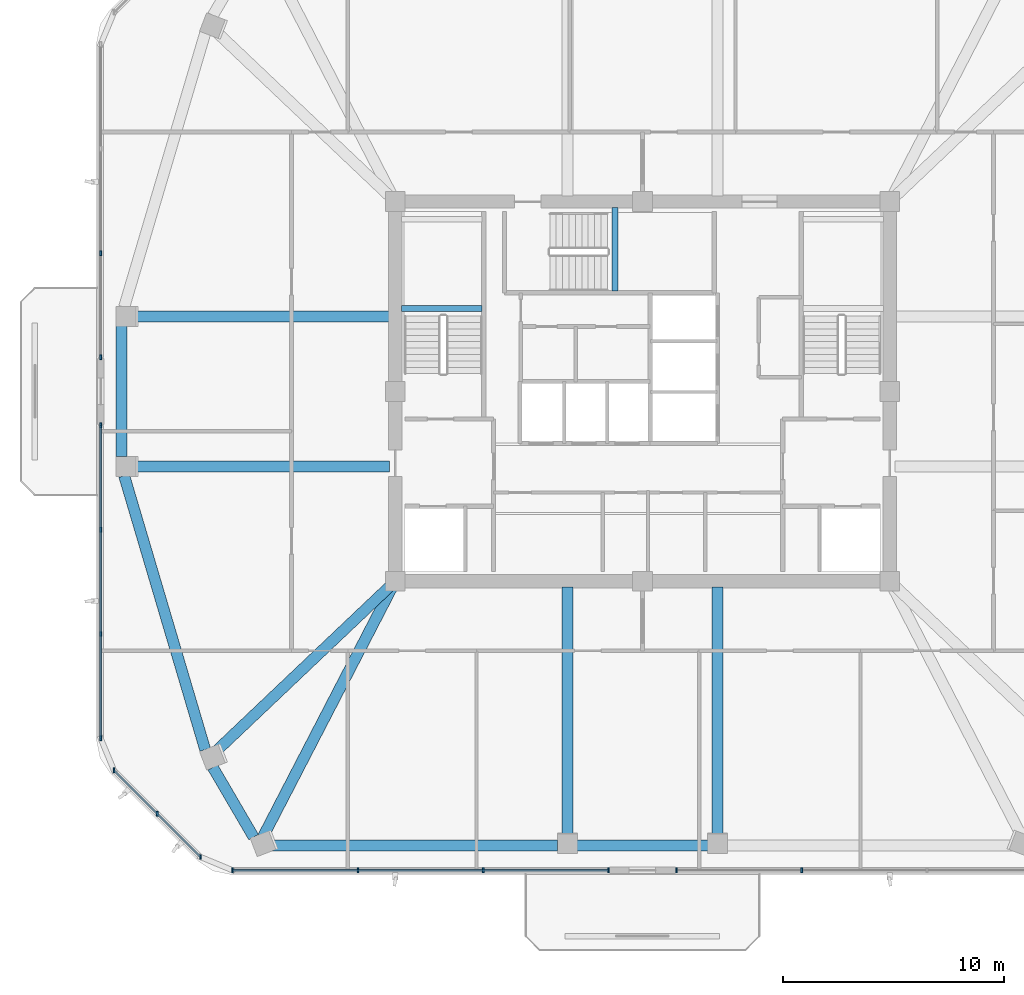
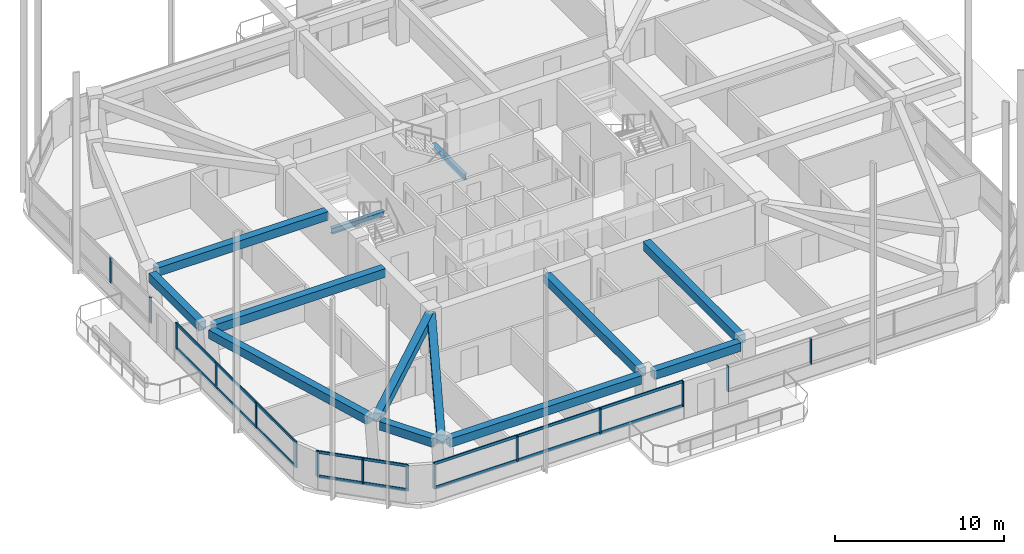
# One storey, part 2 of 14: 21 members, 13 beams, 5 elements without a shape of their own.
"""IFC4 building model written with IfcOpenShell, lengths in metres."""

from ifc_helpers import new_model, si_unit, derived_unit, direction, frame, origin, origin_2d, place, context, subcontext, project, spatial, rectangle, i_section, extrude, material, material_profile, profile_set, type_object, element, aggregate, save


model = new_model("IFC4")

# Units and contexts
model_context = context("Model", 3, precision=1e-05, world=origin(), true_north=direction((0.0, 1.0)))
body_context = subcontext(model_context, "Body", "Model", "MODEL_VIEW")
ifc_project = project(units=[si_unit("LENGTHUNIT", "METRE"), si_unit("AREAUNIT", "SQUARE_METRE"), si_unit("VOLUMEUNIT", "CUBIC_METRE"), si_unit("PLANEANGLEUNIT", "RADIAN"), si_unit("MASSUNIT", "GRAM", prefix="KILO"), derived_unit("THERMALTRANSMITTANCEUNIT", [(si_unit("POWERUNIT", "WATT"), 1), (si_unit("LENGTHUNIT", "METRE"), -2), (si_unit("THERMODYNAMICTEMPERATUREUNIT", "KELVIN"), -1)])], contexts=[model_context])

# Site, building, storey
site_placement = place(None, origin())
site = spatial("IfcSite", under=ifc_project, at=site_placement, CompositionType="ELEMENT")
building_placement = place(site_placement, origin())
building = spatial("IfcBuilding", under=site, at=building_placement, Name="Koralith Skygarden Medical Center", CompositionType="ELEMENT")
storey_placement = place(building_placement, frame((0.0, 0.0, 192.780029296875)))
storey = spatial("IfcBuildingStorey", under=building, at=storey_placement, Name="L49", CompositionType="ELEMENT", Elevation=192.780029296875)

# Curtain wall, members
ifc_material_1 = material(Name="Clear Laminated Glass", Category="glass")
curtain_wall_type = type_object("IfcCurtainWallType", Name="CW-5 Zone 4 Flare Biophilic Curtain Wall", PredefinedType="NOTDEFINED", material=ifc_material_1)
curtain_wall_1_placement = place(storey_placement, origin())
curtain_wall_1 = element("IfcCurtainWall", 1, at=curtain_wall_1_placement, inside=storey, type_object=curtain_wall_type, Name="Curtain Wall CW-L49-S-L", PredefinedType="NOTDEFINED")
ifc_material_2 = material(Name="Aluminium 6063-T6", Category="aluminium")
ifc_material_profile_1 = material_profile(ifc_material_2, rectangle(XDim=0.080078125, YDim=0.219970703125, at=origin_2d()), Name="MUL80X220")
ifc_profile_set_1 = profile_set([ifc_material_profile_1], Name="Aluminium 6063-T6")
member_type_1 = type_object("IfcMemberType", Name="CW-5 Extruded Mullion 80x220", PredefinedType="MULLION", material=ifc_profile_set_1)
member_1_placement = place(storey_placement, frame((18.431884765625, 4.205078125, 0.849853515625), z_axis=(0.0, 0.0, 1.0), x_axis=(1.0, 0.0, 0.0)))
member_1 = element("IfcMember", 2, at=member_1_placement, type_object=member_type_1, Name="CW-L49-S-L Mullion 1", PredefinedType="MULLION", context=body_context, shape_type="SweptSolid", body=[
    extrude(rectangle(XDim=0.080078125, YDim=0.219970703125, at=origin_2d()), origin(), (0.0, 0.0, 1.0), 1.840087890625),
])
member_2_placement = place(storey_placement, frame((24.10791015625, 4.205078125, 0.849853515625), z_axis=(0.0, 0.0, 1.0), x_axis=(1.0, 0.0, 0.0)))
member_2 = element("IfcMember", 3, at=member_2_placement, type_object=member_type_1, Name="CW-L49-S-L Mullion 2", PredefinedType="MULLION", context=body_context, shape_type="SweptSolid", body=[
    extrude(rectangle(XDim=0.080078125, YDim=0.219970703125, at=origin_2d()), origin(), (0.0, 0.0, 1.0), 1.840087890625),
])
member_3_placement = place(storey_placement, frame((29.783935546875, 4.205078125, 0.849853515625), z_axis=(0.0, 0.0, 1.0), x_axis=(1.0, 0.0, 0.0)))
member_3 = element("IfcMember", 4, at=member_3_placement, type_object=member_type_1, Name="CW-L49-S-L Mullion 3", PredefinedType="MULLION", context=body_context, shape_type="SweptSolid", body=[
    extrude(rectangle(XDim=0.080078125, YDim=0.219970703125, at=origin_2d()), origin(), (0.0, 0.0, 1.0), 1.840087890625),
])
member_4_placement = place(storey_placement, frame((35.4599609375, 4.205078125, 0.849853515625), z_axis=(0.0, 0.0, 1.0), x_axis=(1.0, 0.0, 0.0)))
member_4 = element("IfcMember", 5, at=member_4_placement, type_object=member_type_1, Name="CW-L49-S-L Mullion 4", PredefinedType="MULLION", context=body_context, shape_type="SweptSolid", body=[
    extrude(rectangle(XDim=0.080078125, YDim=0.219970703125, at=origin_2d()), origin(), (0.0, 0.0, 1.0), 1.840087890625),
])

curtain_wall_2_placement = place(storey_placement, origin())
curtain_wall_2 = element("IfcCurtainWall", 6, at=curtain_wall_2_placement, inside=storey, type_object=curtain_wall_type, Name="Curtain Wall CW-L49-S-R", PredefinedType="NOTDEFINED")
member_5_placement = place(storey_placement, frame((38.5400390625, 4.205078125, 0.849853515625), z_axis=(0.0, 0.0, 1.0), x_axis=(1.0, 0.0, 0.0)))
member_5 = element("IfcMember", 7, at=member_5_placement, type_object=member_type_1, Name="CW-L49-S-R Mullion 1", PredefinedType="MULLION", context=body_context, shape_type="SweptSolid", body=[
    extrude(rectangle(XDim=0.080078125, YDim=0.219970703125, at=origin_2d()), origin(), (0.0, 0.0, 1.0), 1.840087890625),
])
member_6_placement = place(storey_placement, frame((44.216064453125, 4.205078125, 0.849853515625), z_axis=(0.0, 0.0, 1.0), x_axis=(1.0, 0.0, 0.0)))
member_6 = element("IfcMember", 8, at=member_6_placement, type_object=member_type_1, Name="CW-L49-S-R Mullion 2", PredefinedType="MULLION", context=body_context, shape_type="SweptSolid", body=[
    extrude(rectangle(XDim=0.080078125, YDim=0.219970703125, at=origin_2d()), origin(), (0.0, 0.0, 1.0), 1.840087890625),
])
aggregate(curtain_wall_2, [member_5, member_6])

curtain_wall_3_placement = place(storey_placement, origin())
curtain_wall_3 = element("IfcCurtainWall", 9, at=curtain_wall_3_placement, inside=storey, type_object=curtain_wall_type, Name="Curtain Wall CW-L49-W-L", PredefinedType="NOTDEFINED")
member_7_placement = place(storey_placement, frame((12.4560546875, 32.166015625, 0.849853515625), z_axis=(0.0, 0.0, 1.0), x_axis=(1.0, 0.0, 0.0)))
member_7 = element("IfcMember", 10, at=member_7_placement, type_object=member_type_1, Name="CW-L49-W-L Mullion 3", PredefinedType="MULLION", context=body_context, shape_type="SweptSolid", body=[
    extrude(rectangle(XDim=0.080078125, YDim=0.219970703125, at=origin_2d()), origin(), (0.0, 0.0, 1.0), 1.840087890625),
])
member_8_placement = place(storey_placement, frame((12.4560546875, 27.43994140625, 0.849853515625), z_axis=(0.0, 0.0, 1.0), x_axis=(1.0, 0.0, 0.0)))
member_8 = element("IfcMember", 11, at=member_8_placement, type_object=member_type_1, Name="CW-L49-W-L Mullion 4", PredefinedType="MULLION", context=body_context, shape_type="SweptSolid", body=[
    extrude(rectangle(XDim=0.080078125, YDim=0.219970703125, at=origin_2d()), origin(), (0.0, 0.0, 1.0), 1.840087890625),
])
aggregate(curtain_wall_3, [member_7, member_8])

curtain_wall_4_placement = place(storey_placement, origin())
curtain_wall_4 = element("IfcCurtainWall", 12, at=curtain_wall_4_placement, inside=storey, type_object=curtain_wall_type, Name="Curtain Wall CW-L49-W-R", PredefinedType="NOTDEFINED")
member_9_placement = place(storey_placement, frame((12.4560546875, 24.360107421875, 0.849853515625), z_axis=(0.0, 0.0, 1.0), x_axis=(1.0, 0.0, 0.0)))
member_9 = element("IfcMember", 13, at=member_9_placement, type_object=member_type_1, Name="CW-L49-W-R Mullion 1", PredefinedType="MULLION", context=body_context, shape_type="SweptSolid", body=[
    extrude(rectangle(XDim=0.080078125, YDim=0.219970703125, at=origin_2d()), origin(), (0.0, 0.0, 1.0), 1.840087890625),
])
member_10_placement = place(storey_placement, frame((12.4560546875, 19.634033203125, 0.849853515625), z_axis=(0.0, 0.0, 1.0), x_axis=(1.0, 0.0, 0.0)))
member_10 = element("IfcMember", 14, at=member_10_placement, type_object=member_type_1, Name="CW-L49-W-R Mullion 2", PredefinedType="MULLION", context=body_context, shape_type="SweptSolid", body=[
    extrude(rectangle(XDim=0.080078125, YDim=0.219970703125, at=origin_2d()), origin(), (0.0, 0.0, 1.0), 1.840087890625),
])
member_11_placement = place(storey_placement, frame((12.4560546875, 14.906982421875, 0.849853515625), z_axis=(0.0, 0.0, 1.0), x_axis=(1.0, 0.0, 0.0)))
member_11 = element("IfcMember", 15, at=member_11_placement, type_object=member_type_1, Name="CW-L49-W-R Mullion 3", PredefinedType="MULLION", context=body_context, shape_type="SweptSolid", body=[
    extrude(rectangle(XDim=0.080078125, YDim=0.219970703125, at=origin_2d()), origin(), (0.0, 0.0, 1.0), 1.840087890625),
])
member_12_placement = place(storey_placement, frame((12.4560546875, 10.180908203125, 0.849853515625), z_axis=(0.0, 0.0, 1.0), x_axis=(1.0, 0.0, 0.0)))
member_12 = element("IfcMember", 16, at=member_12_placement, type_object=member_type_1, Name="CW-L49-W-R Mullion 4", PredefinedType="MULLION", context=body_context, shape_type="SweptSolid", body=[
    extrude(rectangle(XDim=0.080078125, YDim=0.219970703125, at=origin_2d()), origin(), (0.0, 0.0, 1.0), 1.840087890625),
])

curtain_wall_5_placement = place(storey_placement, origin())
curtain_wall_5 = element("IfcCurtainWall", 17, at=curtain_wall_5_placement, inside=storey, type_object=curtain_wall_type, Name="Curtain Wall CW-L49-SW", PredefinedType="NOTDEFINED")
member_13_placement = place(storey_placement, frame((13.05810546875, 8.72998046875, 0.849853515625), z_axis=(0.0, 0.0, 1.0), x_axis=(1.0, 0.0, 0.0)))
member_13 = element("IfcMember", 18, at=member_13_placement, type_object=member_type_1, Name="CW-L49-SW Mullion 1", PredefinedType="MULLION", context=body_context, shape_type="SweptSolid", body=[
    extrude(rectangle(XDim=0.080078125, YDim=0.219970703125, at=origin_2d()), origin(), (0.0, 0.0, 1.0), 1.840087890625),
])
member_14_placement = place(storey_placement, frame((15.02001953125, 6.76904296875, 0.849853515625), z_axis=(0.0, 0.0, 1.0), x_axis=(1.0, 0.0, 0.0)))
member_14 = element("IfcMember", 19, at=member_14_placement, type_object=member_type_1, Name="CW-L49-SW Mullion 2", PredefinedType="MULLION", context=body_context, shape_type="SweptSolid", body=[
    extrude(rectangle(XDim=0.080078125, YDim=0.219970703125, at=origin_2d()), origin(), (0.0, 0.0, 1.0), 1.840087890625),
])
member_15_placement = place(storey_placement, frame((16.98095703125, 4.806884765625, 0.849853515625), z_axis=(0.0, 0.0, 1.0), x_axis=(1.0, 0.0, 0.0)))
member_15 = element("IfcMember", 20, at=member_15_placement, type_object=member_type_1, Name="CW-L49-SW Mullion 3", PredefinedType="MULLION", context=body_context, shape_type="SweptSolid", body=[
    extrude(rectangle(XDim=0.080078125, YDim=0.219970703125, at=origin_2d()), origin(), (0.0, 0.0, 1.0), 1.840087890625),
])

# Member
ifc_material_profile_2 = material_profile(ifc_material_2, rectangle(XDim=0.074951171875, YDim=0.197998046875, at=origin_2d()), Name="TRN75X198")
ifc_profile_set_2 = profile_set([ifc_material_profile_2], Name="Aluminium 6063-T6")
member_type_2 = type_object("IfcMemberType", Name="CW-5 Thermal Transom 75x198", PredefinedType="USERDEFINED", material=ifc_profile_set_2)
member_16_placement = place(storey_placement, frame((18.431884765625, 4.205078125, 0.89990234375), z_axis=(1.0, 0.0, 0.0), x_axis=(0.0, 1.0, 0.0)))
member_16 = element("IfcMember", 21, at=member_16_placement, type_object=member_type_2, Name="CW-L49-S-L Transom 1", ObjectType="TRANSOM", PredefinedType="USERDEFINED", context=body_context, shape_type="SweptSolid", body=[
    extrude(rectangle(XDim=0.074951171875, YDim=0.197998046875, at=origin_2d()), origin(), (0.0, 0.0, 1.0), 17.028076171875),
])

member_17_placement = place(storey_placement, frame((18.431884765625, 4.205078125, 2.639892578125), z_axis=(1.0, 0.0, 0.0), x_axis=(0.0, 1.0, 0.0)))
member_17 = element("IfcMember", 22, at=member_17_placement, type_object=member_type_2, Name="CW-L49-S-L Transom 2", ObjectType="TRANSOM", PredefinedType="USERDEFINED", context=body_context, shape_type="SweptSolid", body=[
    extrude(rectangle(XDim=0.074951171875, YDim=0.197998046875, at=origin_2d()), origin(), (0.0, 0.0, 1.0), 17.028076171875),
])

aggregate(curtain_wall_1, [member_1, member_2, member_3, member_4, member_16, member_17])

member_18_placement = place(storey_placement, frame((12.4560546875, 24.360107421875, 0.89990234375), z_axis=(0.0, -1.0, 0.0), x_axis=(1.0, 0.0, 0.0)))
member_18 = element("IfcMember", 23, at=member_18_placement, type_object=member_type_2, Name="CW-L49-W-R Transom 1", ObjectType="TRANSOM", PredefinedType="USERDEFINED", context=body_context, shape_type="SweptSolid", body=[
    extrude(rectangle(XDim=0.074951171875, YDim=0.197998046875, at=origin_2d()), origin(), (0.0, 0.0, 1.0), 14.17919921875),
])

member_19_placement = place(storey_placement, frame((12.4560546875, 24.360107421875, 2.639892578125), z_axis=(0.0, -1.0, 0.0), x_axis=(1.0, 0.0, 0.0)))
member_19 = element("IfcMember", 24, at=member_19_placement, type_object=member_type_2, Name="CW-L49-W-R Transom 2", ObjectType="TRANSOM", PredefinedType="USERDEFINED", context=body_context, shape_type="SweptSolid", body=[
    extrude(rectangle(XDim=0.074951171875, YDim=0.197998046875, at=origin_2d()), origin(), (0.0, 0.0, 1.0), 14.17919921875),
])

aggregate(curtain_wall_4, [member_9, member_10, member_11, member_12, member_18, member_19])

member_20_placement = place(storey_placement, frame((13.05810546875, 8.72998046875, 0.89990234375), z_axis=(0.707084777957, -0.707128783731, 0.0), x_axis=(0.707128783731, 0.707084777957, 0.0)))
member_20 = element("IfcMember", 25, at=member_20_placement, type_object=member_type_2, Name="CW-L49-SW Transom 1", ObjectType="TRANSOM", PredefinedType="USERDEFINED", context=body_context, shape_type="SweptSolid", body=[
    extrude(rectangle(XDim=0.074951171875, YDim=0.197998046875, at=origin_2d()), origin(), (0.0, 0.0, 1.0), 5.5478515625),
])

member_21_placement = place(storey_placement, frame((13.05810546875, 8.72998046875, 2.639892578125), z_axis=(0.707084777957, -0.707128783731, 0.0), x_axis=(0.707128783731, 0.707084777957, 0.0)))
member_21 = element("IfcMember", 26, at=member_21_placement, type_object=member_type_2, Name="CW-L49-SW Transom 2", ObjectType="TRANSOM", PredefinedType="USERDEFINED", context=body_context, shape_type="SweptSolid", body=[
    extrude(rectangle(XDim=0.074951171875, YDim=0.197998046875, at=origin_2d()), origin(), (0.0, 0.0, 1.0), 5.5478515625),
])

aggregate(curtain_wall_5, [member_13, member_14, member_15, member_20, member_21])

# Beams
ifc_material_3 = material(Name="Steel ASTM A992 Grade 50", Category="steel")
ifc_material_profile_3 = material_profile(ifc_material_3, i_section(OverallWidth=0.260009765625, OverallDepth=0.4150390625, WebThickness=0.010009765625, FlangeThickness=0.016845703125, at=origin_2d()), Name="W16X67")
ifc_profile_set_3 = profile_set([ifc_material_profile_3], Name="Steel ASTM A992 Grade 50")
beam_type_1 = type_object("IfcBeamType", Name="Clinical Floor Joist W16X67", PredefinedType="JOIST", material=ifc_profile_set_3)
beam_1_placement = place(storey_placement, frame((26.080078125, 29.659912109375, 1.39306640625), z_axis=(1.0, 0.0, 0.0), x_axis=(0.0, 1.0, 0.0)))
element("IfcBeam", 27, at=beam_1_placement, inside=storey, type_object=beam_type_1, Name="L49 Stair ST1 Half-Landing Support Beam 1A", PredefinedType="JOIST", context=body_context, shape_type="SweptSolid", body=[
    extrude(i_section(OverallWidth=0.260009765625, OverallDepth=0.4150390625, WebThickness=0.010009765625, FlangeThickness=0.016845703125, at=origin_2d()), origin(), (0.0, 0.0, 1.0), 3.639892578125),
])
beam_2_placement = place(storey_placement, frame((35.760009765625, 30.43994140625, 1.39306640625), z_axis=(0.0, 1.0, 0.0), x_axis=(-1.0, 0.0, 0.0)))
element("IfcBeam", 28, at=beam_2_placement, inside=storey, type_object=beam_type_1, Name="L49 Stair ST3 Half-Landing Support Beam 1A", PredefinedType="JOIST", context=body_context, shape_type="SweptSolid", body=[
    extrude(i_section(OverallWidth=0.260009765625, OverallDepth=0.4150390625, WebThickness=0.010009765625, FlangeThickness=0.016845703125, at=origin_2d()), origin(), (0.0, 0.0, 1.0), 3.780029296875),
])
ifc_material_4 = material(Name="Concrete C45/55", Category="concrete")
ifc_material_profile_4 = material_profile(ifc_material_4, rectangle(XDim=0.5, YDim=0.6201171875, at=origin_2d()), Name="RCB500X620")
ifc_profile_set_4 = profile_set([ifc_material_profile_4], Name="Concrete C45/55")
beam_type_2 = type_object("IfcBeamType", Name="Upper Radial Collector Beam RCB500X620", PredefinedType="BEAM", material=ifc_profile_set_4)
beam_3_placement = place(storey_placement, frame((25.550048828125, 22.5, 3.010009765625), z_axis=(-1.0, 0.0, 0.0), x_axis=(0.0, -1.0, 0.0)))
element("IfcBeam", 29, at=beam_3_placement, inside=storey, type_object=beam_type_2, Name="L49 Radial Collector Beam RB-01", PredefinedType="BEAM", context=body_context, shape_type="SweptSolid", body=[
    extrude(rectangle(XDim=0.5, YDim=0.6201171875, at=origin_2d()), origin(), (0.0, 0.0, 1.0), 11.715087890625),
])
beam_4_placement = place(storey_placement, frame((25.618896484375, 17.1279296875, 3.010009765625), z_axis=(-0.725483293562, -0.688239777085, 0.0), x_axis=(0.688239777085, -0.725483293562, 0.0)))
element("IfcBeam", 30, at=beam_4_placement, inside=storey, type_object=beam_type_2, Name="L49 Radial Collector Beam RB-02", PredefinedType="BEAM", context=body_context, shape_type="SweptSolid", body=[
    extrude(rectangle(XDim=0.5, YDim=0.6201171875, at=origin_2d()), origin(), (0.0, 0.0, 1.0), 11.00634765625),
])
beam_5_placement = place(storey_placement, frame((25.68505859375, 17.077880859375, 3.010009765625), z_axis=(-0.459588078392, -0.888132196354, 0.0), x_axis=(0.888132196354, -0.459588078392, 0.0)))
element("IfcBeam", 31, at=beam_5_placement, inside=storey, type_object=beam_type_2, Name="L49 Radial Collector Beam RB-03", PredefinedType="BEAM", context=body_context, shape_type="SweptSolid", body=[
    extrude(rectangle(XDim=0.5, YDim=0.6201171875, at=origin_2d()), origin(), (0.0, 0.0, 1.0), 12.787353515625),
])
for number, where, z_axis, x_axis, name in (
    (32, (33.60009765625, 17.050048828125, 3.010009765625), (0.0, -1.0, 0.0), (1.0, 0.0, 0.0), "L49 Radial Collector Beam RB-04"),
    (33, (40.39990234375, 17.050048828125, 3.010009765625), (0.0, -1.0, 0.0), (1.0, 0.0, 0.0), "L49 Radial Collector Beam RB-05"),
):
    element("IfcBeam", number, at=place(storey_placement, frame(where, z_axis=z_axis, x_axis=x_axis)), inside=storey, type_object=beam_type_2, Name=name, PredefinedType="BEAM", context=body_context, shape_type="SweptSolid", body=[
        extrude(rectangle(XDim=0.5, YDim=0.6201171875, at=origin_2d()), origin(), (0.0, 0.0, 1.0), 11.280029296875),
    ])
beam_6_placement = place(storey_placement, frame((25.550048828125, 29.300048828125, 3.010009765625), z_axis=(-1.0, 0.0, 0.0), x_axis=(0.0, -1.0, 0.0)))
element("IfcBeam", 34, at=beam_6_placement, inside=storey, type_object=beam_type_2, Name="L49 Radial Collector Beam RB-16", PredefinedType="BEAM", context=body_context, shape_type="SweptSolid", body=[
    extrude(rectangle(XDim=0.5, YDim=0.6201171875, at=origin_2d()), origin(), (0.0, 0.0, 1.0), 11.715087890625),
])
ifc_material_profile_5 = material_profile(ifc_material_4, rectangle(XDim=0.5, YDim=0.6201171875, at=origin_2d()), Name="RCB500X620")
ifc_profile_set_5 = profile_set([ifc_material_profile_5], Name="Concrete C45/55")
beam_type_3 = type_object("IfcBeamType", Name="Zone 4-5 Spandrel Beam RCB500X620", PredefinedType="SPANDREL", material=ifc_profile_set_5)
beam_7_placement = place(storey_placement, frame((13.52001953125, 22.077880859375, 3.010009765625), z_axis=(0.283671946545, -0.958921387155, 0.0), x_axis=(0.958921387155, 0.283671946545, 0.0)))
element("IfcBeam", 35, at=beam_7_placement, inside=storey, type_object=beam_type_3, Name="L49 Perimeter Spandrel Beam SP-01", PredefinedType="SPANDREL", context=body_context, shape_type="SweptSolid", body=[
    extrude(rectangle(XDim=0.5, YDim=0.6201171875, at=origin_2d()), origin(), (0.0, 0.0, 1.0), 12.937255859375),
])
beam_8_placement = place(storey_placement, frame((17.537109375, 8.8701171875, 3.010009765625), z_axis=(0.504584161671, -0.863362510068, 0.0), x_axis=(0.863362510068, 0.504584161671, 0.0)))
element("IfcBeam", 36, at=beam_8_placement, inside=storey, type_object=beam_type_3, Name="L49 Perimeter Spandrel Beam SP-02", PredefinedType="SPANDREL", context=body_context, shape_type="SweptSolid", body=[
    extrude(rectangle(XDim=0.5, YDim=0.6201171875, at=origin_2d()), origin(), (0.0, 0.0, 1.0), 3.660400390625),
])
beam_9_placement = place(storey_placement, frame((20.0458984375, 5.330078125, 3.010009765625), z_axis=(1.0, 0.0, 0.0), x_axis=(0.0, 1.0, 0.0)))
element("IfcBeam", 37, at=beam_9_placement, inside=storey, type_object=beam_type_3, Name="L49 Perimeter Spandrel Beam SP-03", PredefinedType="SPANDREL", context=body_context, shape_type="SweptSolid", body=[
    extrude(rectangle(XDim=0.5, YDim=0.6201171875, at=origin_2d()), origin(), (0.0, 0.0, 1.0), 13.114013671875),
])
beam_10_placement = place(storey_placement, frame((34.0400390625, 5.330078125, 3.010009765625), z_axis=(1.0, 0.0, 0.0), x_axis=(0.0, 1.0, 0.0)))
element("IfcBeam", 38, at=beam_10_placement, inside=storey, type_object=beam_type_3, Name="L49 Perimeter Spandrel Beam SP-04", PredefinedType="SPANDREL", context=body_context, shape_type="SweptSolid", body=[
    extrude(rectangle(XDim=0.5, YDim=0.6201171875, at=origin_2d()), origin(), (0.0, 0.0, 1.0), 5.919921875),
])
beam_11_placement = place(storey_placement, frame((13.39501953125, 28.860107421875, 3.010009765625), z_axis=(0.0, -1.0, 0.0), x_axis=(1.0, 0.0, 0.0)))
element("IfcBeam", 39, at=beam_11_placement, inside=storey, type_object=beam_type_3, Name="L49 Perimeter Spandrel Beam SP-16", PredefinedType="SPANDREL", context=body_context, shape_type="SweptSolid", body=[
    extrude(rectangle(XDim=0.5, YDim=0.6201171875, at=origin_2d()), origin(), (0.0, 0.0, 1.0), 5.920166015625),
])

save(model, "model.ifc")
